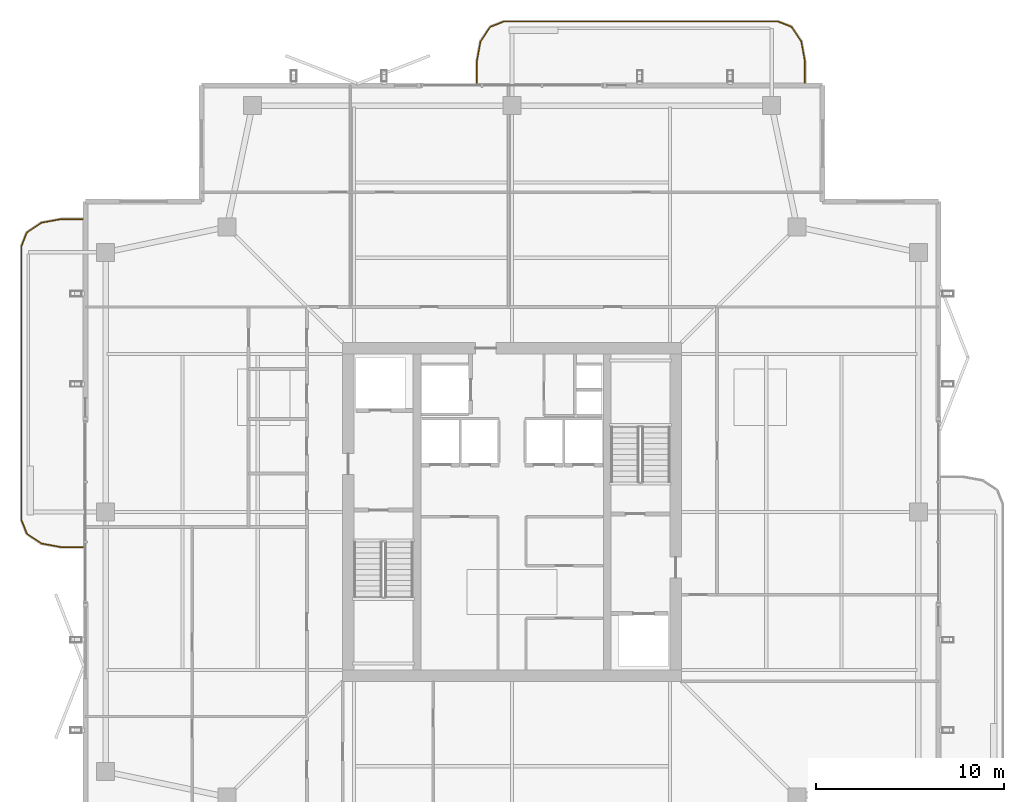
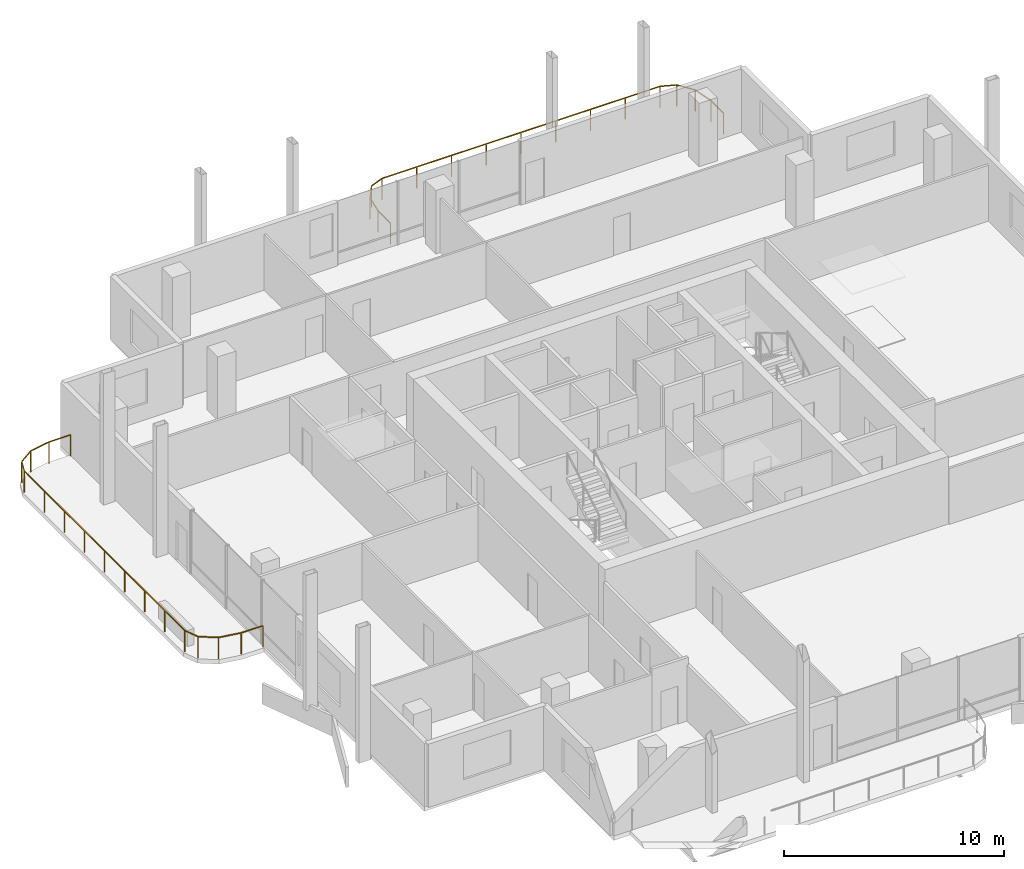
# One storey, part 20 of 20: 2 railings.
"""IFC4 building model written with IfcOpenShell, lengths in metres."""

from ifc_helpers import new_model, si_unit, direction, frame, origin, origin_2d, place, context, subcontext, project, spatial, rectangle, extrude, material, type_object, element, save


model = new_model("IFC4")

# Units and contexts
model_context = context("Model", 3, precision=1e-05, world=origin(), true_north=direction((0.0, 1.0)))
body_context = subcontext(model_context, "Body", "Model", "MODEL_VIEW")
ifc_project = project(units=[si_unit("LENGTHUNIT", "METRE"), si_unit("AREAUNIT", "SQUARE_METRE"), si_unit("VOLUMEUNIT", "CUBIC_METRE"), si_unit("PLANEANGLEUNIT", "RADIAN"), si_unit("MASSUNIT", "GRAM", prefix="KILO")], contexts=[model_context])

# Site, building, storey
site_placement = place(None, origin())
site = spatial("IfcSite", under=ifc_project, at=site_placement, CompositionType="ELEMENT")
building_placement = place(site_placement, origin())
building = spatial("IfcBuilding", under=site, at=building_placement, Name="Belovzor Exchange Tower", CompositionType="ELEMENT")
storey_placement = place(building_placement, frame((0.0, 0.0, 314.25)))
storey = spatial("IfcBuildingStorey", under=building, at=storey_placement, Name="L78", CompositionType="ELEMENT", Elevation=314.25)

# Railings
ifc_material = material(Name="Stainless Steel and Laminated Safety Glass", Category="steel")
railing_type = type_object("IfcRailingType", Name="Laminated Glass & Stainless Steel Balcony Balustrade 1200", PredefinedType="BALUSTRADE", material=ifc_material)
railing_1_placement = place(storey_placement, frame((44.3701171875, 51.610107421875, 0.0)))
element("IfcRailing", 1, at=railing_1_placement, inside=storey, type_object=railing_type, Name="GR-1 Balcony Balustrade L78 North", PredefinedType="BALUSTRADE", context=body_context, shape_type="SweptSolid", body=[
    extrude(rectangle(XDim=0.048095703125, YDim=0.048095703125, at=origin_2d()), frame((0.0, 0.0, 1.17578125), z_axis=(0.0, 1.0, 0.0), x_axis=(-1.0, 0.0, 0.0)), (0.0, 0.0, 1.0), 1.1328125),
    extrude(rectangle(XDim=0.048095703125, YDim=0.048095703125, at=origin_2d()), frame((0.0, 1.1328125, 1.17578125), z_axis=(-0.180083182347, 0.983651385113, 0.0), x_axis=(-0.983651385113, -0.180083182347, 0.0)), (0.0, 0.0, 1.0), 1.093994140625),
    extrude(rectangle(XDim=0.048095703125, YDim=0.048095703125, at=origin_2d()), frame((-0.197021484375, 2.208984375, 1.17578125), z_axis=(-0.56294695933, 0.826493025367, 0.0), x_axis=(-0.826493025367, -0.56294695933, 0.0)), (0.0, 0.0, 1.0), 0.932861328125),
    extrude(rectangle(XDim=0.048095703125, YDim=0.048095703125, at=origin_2d()), frame((-0.72216796875, 2.97998046875, 1.17578125), z_axis=(-0.930766990125, 0.365612923861, 0.0), x_axis=(-0.365612923861, -0.930766990125, 0.0)), (0.0, 0.0, 1.0), 0.765869140625),
    extrude(rectangle(XDim=0.048095703125, YDim=0.048095703125, at=origin_2d()), frame((-1.43505859375, 3.260009765625, 1.17578125), z_axis=(-1.0, 0.0, 0.0), x_axis=(0.0, -1.0, 0.0)), (0.0, 0.0, 1.0), 14.570068359375),
    extrude(rectangle(XDim=0.048095703125, YDim=0.048095703125, at=origin_2d()), frame((-16.005126953125, 3.260009765625, 1.17578125), z_axis=(-0.930766990125, -0.365612923861, 0.0), x_axis=(0.365612923861, -0.930766990125, 0.0)), (0.0, 0.0, 1.0), 0.765869140625),
    extrude(rectangle(XDim=0.048095703125, YDim=0.048095703125, at=origin_2d()), frame((-16.718017578125, 2.97998046875, 1.17578125), z_axis=(-0.56294695933, -0.826493025367, 0.0), x_axis=(0.826493025367, -0.56294695933, 0.0)), (0.0, 0.0, 1.0), 0.932861328125),
    extrude(rectangle(XDim=0.048095703125, YDim=0.048095703125, at=origin_2d()), frame((-17.2431640625, 2.208984375, 1.17578125), z_axis=(-0.180083182347, -0.983651385113, 0.0), x_axis=(0.983651385113, -0.180083182347, 0.0)), (0.0, 0.0, 1.0), 1.093994140625),
    extrude(rectangle(XDim=0.048095703125, YDim=0.048095703125, at=origin_2d()), frame((-17.440185546875, 1.1328125, 1.17578125), z_axis=(0.0, -1.0, 0.0), x_axis=(1.0, 0.0, 0.0)), (0.0, 0.0, 1.0), 1.1328125),
    extrude(rectangle(XDim=0.0419921875, YDim=0.0419921875, at=origin_2d()), origin(), (0.0, 0.0, 1.0), 1.15185546875),
    extrude(rectangle(XDim=0.0419921875, YDim=0.0419921875, at=origin_2d()), frame((0.0, 1.1328125, 0.0)), (0.0, 0.0, 1.0), 1.15185546875),
    extrude(rectangle(XDim=0.0419921875, YDim=0.0419921875, at=origin_2d()), frame((-0.197021484375, 2.208984375, 0.0)), (0.0, 0.0, 1.0), 1.15185546875),
    extrude(rectangle(XDim=0.0419921875, YDim=0.0419921875, at=origin_2d()), frame((-0.72216796875, 2.97998046875, 0.0)), (0.0, 0.0, 1.0), 1.15185546875),
    extrude(rectangle(XDim=0.0419921875, YDim=0.0419921875, at=origin_2d()), frame((-1.43505859375, 3.260009765625, 0.0)), (0.0, 0.0, 1.0), 1.15185546875),
    extrude(rectangle(XDim=0.0419921875, YDim=0.0419921875, at=origin_2d()), frame((-3.25634765625, 3.260009765625, 0.0)), (0.0, 0.0, 1.0), 1.15185546875),
    extrude(rectangle(XDim=0.0419921875, YDim=0.0419921875, at=origin_2d()), frame((-5.07763671875, 3.260009765625, 0.0)), (0.0, 0.0, 1.0), 1.15185546875),
    extrude(rectangle(XDim=0.0419921875, YDim=0.0419921875, at=origin_2d()), frame((-6.89892578125, 3.260009765625, 0.0)), (0.0, 0.0, 1.0), 1.15185546875),
    extrude(rectangle(XDim=0.0419921875, YDim=0.0419921875, at=origin_2d()), frame((-8.72021484375, 3.260009765625, 0.0)), (0.0, 0.0, 1.0), 1.15185546875),
    extrude(rectangle(XDim=0.0419921875, YDim=0.0419921875, at=origin_2d()), frame((-10.541259765625, 3.260009765625, 0.0)), (0.0, 0.0, 1.0), 1.15185546875),
    extrude(rectangle(XDim=0.0419921875, YDim=0.0419921875, at=origin_2d()), frame((-12.362548828125, 3.260009765625, 0.0)), (0.0, 0.0, 1.0), 1.15185546875),
    extrude(rectangle(XDim=0.0419921875, YDim=0.0419921875, at=origin_2d()), frame((-14.183837890625, 3.260009765625, 0.0)), (0.0, 0.0, 1.0), 1.15185546875),
    extrude(rectangle(XDim=0.0419921875, YDim=0.0419921875, at=origin_2d()), frame((-16.005126953125, 3.260009765625, 0.0)), (0.0, 0.0, 1.0), 1.15185546875),
    extrude(rectangle(XDim=0.0419921875, YDim=0.0419921875, at=origin_2d()), frame((-16.718017578125, 2.97998046875, 0.0)), (0.0, 0.0, 1.0), 1.15185546875),
    extrude(rectangle(XDim=0.0419921875, YDim=0.0419921875, at=origin_2d()), frame((-17.2431640625, 2.208984375, 0.0)), (0.0, 0.0, 1.0), 1.15185546875),
    extrude(rectangle(XDim=0.0419921875, YDim=0.0419921875, at=origin_2d()), frame((-17.440185546875, 1.1328125, 0.0)), (0.0, 0.0, 1.0), 1.15185546875),
    extrude(rectangle(XDim=0.0419921875, YDim=0.0419921875, at=origin_2d()), frame((-17.440185546875, 0.0, 0.0)), (0.0, 0.0, 1.0), 1.15185546875),
])
railing_2_placement = place(storey_placement, frame((5.989990234375, 44.3701171875, 0.0)))
element("IfcRailing", 2, at=railing_2_placement, inside=storey, type_object=railing_type, Name="GR-1 Balcony Balustrade L78 West", PredefinedType="BALUSTRADE", context=body_context, shape_type="SweptSolid", body=[
    extrude(rectangle(XDim=0.048095703125, YDim=0.048095703125, at=origin_2d()), frame((0.0, 0.0, 1.17578125), z_axis=(-1.0, 0.0, 0.0), x_axis=(0.0, -1.0, 0.0)), (0.0, 0.0, 1.0), 1.133056640625),
    extrude(rectangle(XDim=0.048095703125, YDim=0.048095703125, at=origin_2d()), frame((-1.133056640625, 0.0, 1.17578125), z_axis=(-0.983644145941, -0.180122719713, 0.0), x_axis=(0.180122719713, -0.983644145941, 0.0)), (0.0, 0.0, 1.0), 1.09375),
    extrude(rectangle(XDim=0.048095703125, YDim=0.048095703125, at=origin_2d()), frame((-2.208984375, -0.197021484375, 1.17578125), z_axis=(-0.826493025367, -0.56294695933, 0.0), x_axis=(0.56294695933, -0.826493025367, 0.0)), (0.0, 0.0, 1.0), 0.932861328125),
    extrude(rectangle(XDim=0.048095703125, YDim=0.048095703125, at=origin_2d()), frame((-2.97998046875, -0.72216796875, 1.17578125), z_axis=(-0.365612923861, -0.930766990125, 0.0), x_axis=(0.930766990125, -0.365612923861, 0.0)), (0.0, 0.0, 1.0), 0.765869140625),
    extrude(rectangle(XDim=0.048095703125, YDim=0.048095703125, at=origin_2d()), frame((-3.260009765625, -1.43505859375, 1.17578125), z_axis=(0.0, -1.0, 0.0), x_axis=(1.0, 0.0, 0.0)), (0.0, 0.0, 1.0), 14.570068359375),
    extrude(rectangle(XDim=0.048095703125, YDim=0.048095703125, at=origin_2d()), frame((-3.260009765625, -16.005126953125, 1.17578125), z_axis=(0.365612923861, -0.930766990125, 0.0), x_axis=(0.930766990125, 0.365612923861, 0.0)), (0.0, 0.0, 1.0), 0.765869140625),
    extrude(rectangle(XDim=0.048095703125, YDim=0.048095703125, at=origin_2d()), frame((-2.97998046875, -16.718017578125, 1.17578125), z_axis=(0.826493025367, -0.56294695933, 0.0), x_axis=(0.56294695933, 0.826493025367, 0.0)), (0.0, 0.0, 1.0), 0.932861328125),
    extrude(rectangle(XDim=0.048095703125, YDim=0.048095703125, at=origin_2d()), frame((-2.208984375, -17.2431640625, 1.17578125), z_axis=(0.983644145941, -0.180122719713, 0.0), x_axis=(0.180122719713, 0.983644145941, 0.0)), (0.0, 0.0, 1.0), 1.09375),
    extrude(rectangle(XDim=0.048095703125, YDim=0.048095703125, at=origin_2d()), frame((-1.133056640625, -17.440185546875, 1.17578125), z_axis=(1.0, 0.0, 0.0), x_axis=(0.0, 1.0, 0.0)), (0.0, 0.0, 1.0), 1.133056640625),
    extrude(rectangle(XDim=0.0419921875, YDim=0.0419921875, at=origin_2d()), origin(), (0.0, 0.0, 1.0), 1.15185546875),
    extrude(rectangle(XDim=0.0419921875, YDim=0.0419921875, at=origin_2d()), frame((-1.133056640625, 0.0, 0.0)), (0.0, 0.0, 1.0), 1.15185546875),
    extrude(rectangle(XDim=0.0419921875, YDim=0.0419921875, at=origin_2d()), frame((-2.208984375, -0.197021484375, 0.0)), (0.0, 0.0, 1.0), 1.15185546875),
    extrude(rectangle(XDim=0.0419921875, YDim=0.0419921875, at=origin_2d()), frame((-2.97998046875, -0.72216796875, 0.0)), (0.0, 0.0, 1.0), 1.15185546875),
    extrude(rectangle(XDim=0.0419921875, YDim=0.0419921875, at=origin_2d()), frame((-3.260009765625, -1.43505859375, 0.0)), (0.0, 0.0, 1.0), 1.15185546875),
    extrude(rectangle(XDim=0.0419921875, YDim=0.0419921875, at=origin_2d()), frame((-3.260009765625, -3.25634765625, 0.0)), (0.0, 0.0, 1.0), 1.15185546875),
    extrude(rectangle(XDim=0.0419921875, YDim=0.0419921875, at=origin_2d()), frame((-3.260009765625, -5.07763671875, 0.0)), (0.0, 0.0, 1.0), 1.15185546875),
    extrude(rectangle(XDim=0.0419921875, YDim=0.0419921875, at=origin_2d()), frame((-3.260009765625, -6.89892578125, 0.0)), (0.0, 0.0, 1.0), 1.15185546875),
    extrude(rectangle(XDim=0.0419921875, YDim=0.0419921875, at=origin_2d()), frame((-3.260009765625, -8.72021484375, 0.0)), (0.0, 0.0, 1.0), 1.15185546875),
    extrude(rectangle(XDim=0.0419921875, YDim=0.0419921875, at=origin_2d()), frame((-3.260009765625, -10.541259765625, 0.0)), (0.0, 0.0, 1.0), 1.15185546875),
    extrude(rectangle(XDim=0.0419921875, YDim=0.0419921875, at=origin_2d()), frame((-3.260009765625, -12.362548828125, 0.0)), (0.0, 0.0, 1.0), 1.15185546875),
    extrude(rectangle(XDim=0.0419921875, YDim=0.0419921875, at=origin_2d()), frame((-3.260009765625, -14.183837890625, 0.0)), (0.0, 0.0, 1.0), 1.15185546875),
    extrude(rectangle(XDim=0.0419921875, YDim=0.0419921875, at=origin_2d()), frame((-3.260009765625, -16.005126953125, 0.0)), (0.0, 0.0, 1.0), 1.15185546875),
    extrude(rectangle(XDim=0.0419921875, YDim=0.0419921875, at=origin_2d()), frame((-2.97998046875, -16.718017578125, 0.0)), (0.0, 0.0, 1.0), 1.15185546875),
    extrude(rectangle(XDim=0.0419921875, YDim=0.0419921875, at=origin_2d()), frame((-2.208984375, -17.2431640625, 0.0)), (0.0, 0.0, 1.0), 1.15185546875),
    extrude(rectangle(XDim=0.0419921875, YDim=0.0419921875, at=origin_2d()), frame((-1.133056640625, -17.440185546875, 0.0)), (0.0, 0.0, 1.0), 1.15185546875),
    extrude(rectangle(XDim=0.0419921875, YDim=0.0419921875, at=origin_2d()), frame((0.0, -17.440185546875, 0.0)), (0.0, 0.0, 1.0), 1.15185546875),
])

save(model, "model.ifc")
